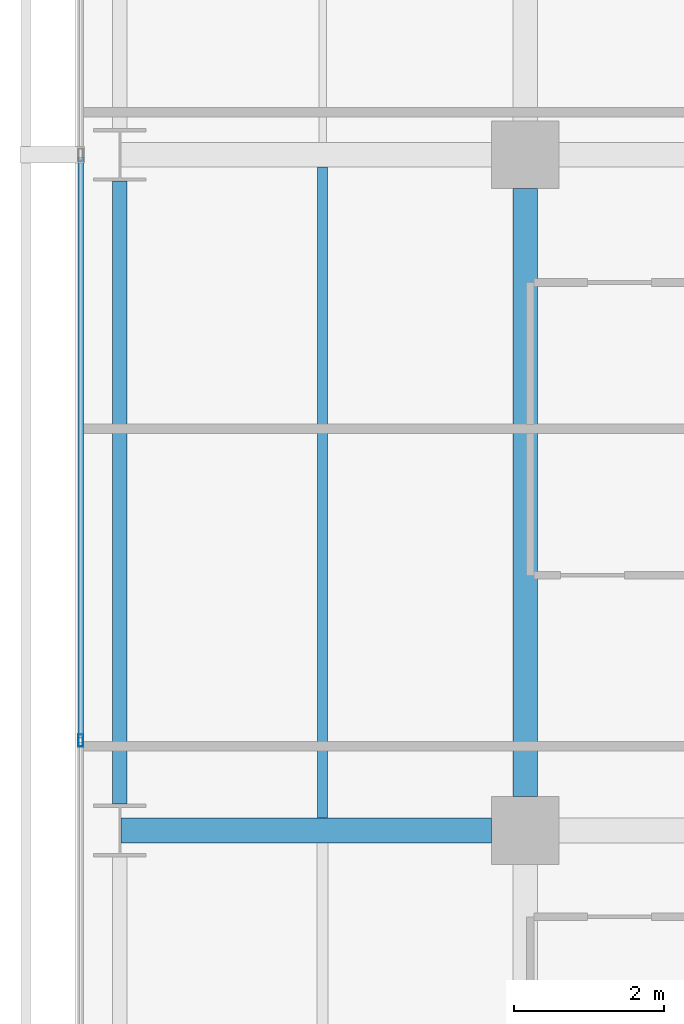
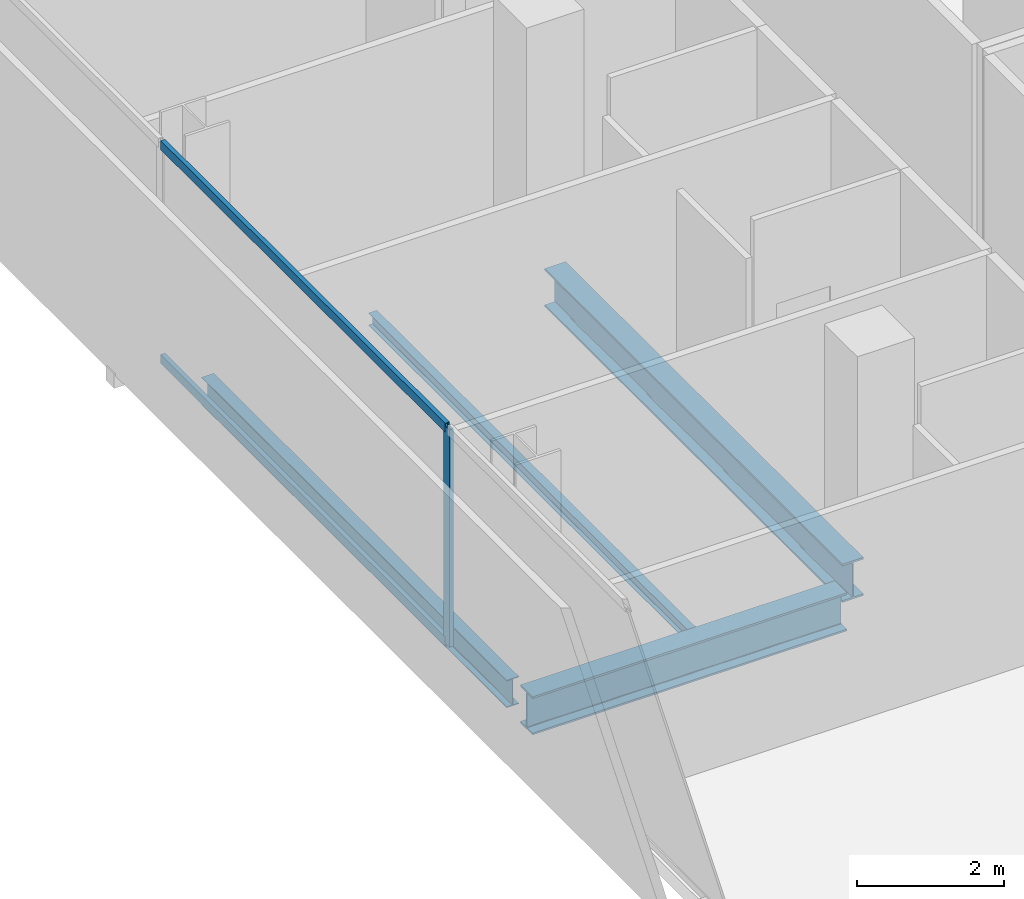
# One storey, part 10 of 40: 4 beams, 3 members, 1 element without a shape of its own.
"""IFC4 building model written with IfcOpenShell, lengths in metres."""

from ifc_helpers import new_model, si_unit, direction, frame, origin, origin_2d, place, context, subcontext, project, spatial, hollow_rectangle, i_section, extrude, material, layer, layer_set, material_profile, profile_set, type_object, element, aggregate, save


model = new_model("IFC4")

# Units and contexts
model_context = context("Model", 3, precision=1e-05, world=origin(), true_north=direction((0.0, 1.0)))
body_context = subcontext(model_context, "Body", "Model", "MODEL_VIEW")
ifc_project = project(units=[si_unit("LENGTHUNIT", "METRE"), si_unit("AREAUNIT", "SQUARE_METRE"), si_unit("VOLUMEUNIT", "CUBIC_METRE"), si_unit("PLANEANGLEUNIT", "RADIAN"), si_unit("MASSUNIT", "GRAM", prefix="KILO")], contexts=[model_context])

# Site, building, storey
site_placement = place(None, origin())
site = spatial("IfcSite", under=ifc_project, at=site_placement, CompositionType="ELEMENT")
building_placement = place(site_placement, origin())
building = spatial("IfcBuilding", under=site, at=building_placement, Name="Maruvema Waterfront Hotel and Observation Tower", CompositionType="ELEMENT")
storey_placement = place(building_placement, frame((0.0, 0.0, 30.800048828125)))
storey = spatial("IfcBuildingStorey", under=building, at=storey_placement, Name="L06", CompositionType="ELEMENT", Elevation=30.800048828125)

# Curtain wall, members
ifc_material_1 = material(Name="Anodised bronze aluminium and solar-control low-E IGU", Category="aluminium")
ifc_layer = layer(ifc_material_1, 0.159912109375, Name="Zone 1 Bronze Inner Thermal Curtain Wall System CW-02")
ifc_layer_set = layer_set([ifc_layer], Name="Anodised bronze aluminium and solar-control low-E IGU")
curtain_wall_type = type_object("IfcCurtainWallType", Name="Zone 1 Bronze Inner Thermal Curtain Wall System CW-02", PredefinedType="USERDEFINED", material=ifc_layer_set)
curtain_wall_placement = place(storey_placement, origin())
curtain_wall = element("IfcCurtainWall", 1, at=curtain_wall_placement, inside=storey, type_object=curtain_wall_type, Name="L06 Curtain Wall CW-L06-W", ObjectType="UNITISED CURTAIN WALL", PredefinedType="USERDEFINED")
ifc_material_2 = material(Name="Anodised architectural bronze aluminium", Category="aluminium")
ifc_material_profile_1 = material_profile(ifc_material_2, hollow_rectangle(XDim=0.070068359375, YDim=0.14990234375, WallThickness=0.00390625, at=origin_2d()), Name="ALU-T70x150")
ifc_profile_set_1 = profile_set([ifc_material_profile_1], Name="Anodised architectural bronze aluminium")
member_type_1 = type_object("IfcMemberType", Name="Curtain Wall Horizontal Transom ALU-T70x150", PredefinedType="USERDEFINED", material=ifc_profile_set_1)
member_1_placement = place(storey_placement, frame((10.8798828125, 26.969970703125, 0.030029296875), z_axis=(0.0, -1.0, 0.0), x_axis=(1.0, 0.0, 0.0)))
member_1 = element("IfcMember", 2, at=member_1_placement, type_object=member_type_1, Name="CW-02 transom 4.1", ObjectType="TRANSOM", PredefinedType="USERDEFINED", context=body_context, shape_type="SweptSolid", body=[
    extrude(hollow_rectangle(XDim=0.070068359375, YDim=0.14990234375, WallThickness=0.00390625, at=origin_2d()), origin(), (0.0, 0.0, 1.0), 7.739990234375),
])
member_2_placement = place(storey_placement, frame((10.8798828125, 26.969970703125, 3.579833984375), z_axis=(0.0, -1.0, 0.0), x_axis=(1.0, 0.0, 0.0)))
member_2 = element("IfcMember", 3, at=member_2_placement, type_object=member_type_1, Name="CW-02 transom 4.2", ObjectType="TRANSOM", PredefinedType="USERDEFINED", context=body_context, shape_type="SweptSolid", body=[
    extrude(hollow_rectangle(XDim=0.070068359375, YDim=0.14990234375, WallThickness=0.00390625, at=origin_2d()), origin(), (0.0, 0.0, 1.0), 7.739990234375),
])
ifc_material_3 = material(Name="Anodised architectural bronze aluminium", Category="aluminium")
ifc_material_profile_2 = material_profile(ifc_material_3, hollow_rectangle(XDim=0.06494140625, YDim=0.1650390625, WallThickness=0.00390625, at=origin_2d()), Name="ALU-M65x165")
ifc_profile_set_2 = profile_set([ifc_material_profile_2], Name="Anodised architectural bronze aluminium")
member_type_2 = type_object("IfcMemberType", Name="Curtain Wall Primary Mullion ALU-M65x165", PredefinedType="MULLION", material=ifc_profile_set_2)
member_3_placement = place(storey_placement, frame((10.8798828125, 19.199951171875, 0.0), z_axis=(0.0, 0.0, 1.0), x_axis=(1.0, 0.0, 0.0)))
member_3 = element("IfcMember", 4, at=member_3_placement, type_object=member_type_2, Name="CW-02 mullion 5", PredefinedType="MULLION", context=body_context, shape_type="SweptSolid", body=[
    extrude(hollow_rectangle(XDim=0.06494140625, YDim=0.1650390625, WallThickness=0.00390625, at=origin_2d()), origin(), (0.0, 0.0, 1.0), 3.60986328125),
])
aggregate(curtain_wall, [member_3, member_1, member_2])

# Beams
ifc_material_4 = material(Name="Steel ASTM A572 Grade 50", Category="steel")
ifc_material_profile_3 = material_profile(ifc_material_4, i_section(OverallWidth=0.18994140625, OverallDepth=0.45703125, WebThickness=0.009033203125, FlangeThickness=0.014404296875, FilletRadius=0.014892578125, at=origin_2d()), Name="W460x74.0")
ifc_profile_set_3 = profile_set([ifc_material_profile_3], Name="Steel ASTM A572 Grade 50")
beam_type_1 = type_object("IfcBeamType", Name="Perimeter Spandrel Beam W460x74.0", PredefinedType="SPANDREL", material=ifc_profile_set_3)
beam_1_placement = place(storey_placement, frame((11.39990234375, 18.35009765625, -0.468505859375), z_axis=(0.0, 1.0, 0.0), x_axis=(-1.0, 0.0, 0.0)))
element("IfcBeam", 5, at=beam_1_placement, inside=storey, type_object=beam_type_1, Name="L06 Floor Girder NS-02", PredefinedType="SPANDREL", context=body_context, shape_type="SweptSolid", body=[
    extrude(i_section(OverallWidth=0.18994140625, OverallDepth=0.45703125, WebThickness=0.009033203125, FlangeThickness=0.014404296875, FilletRadius=0.014892578125, at=origin_2d()), origin(), (0.0, 0.0, 1.0), 8.2998046875),
])
ifc_material_5 = material(Name="Steel ASTM A572 Grade 50", Category="steel")
ifc_material_profile_4 = material_profile(ifc_material_5, i_section(OverallWidth=0.3291015625, OverallDepth=0.635009765625, WebThickness=0.017822265625, FlangeThickness=0.031005859375, FilletRadius=0.01806640625, at=origin_2d()), Name="W610x241.0")
ifc_profile_set_4 = profile_set([ifc_material_profile_4], Name="Steel ASTM A572 Grade 50")
beam_type_2 = type_object("IfcBeamType", Name="Primary Floor Girder W610x241.0", PredefinedType="BEAM", material=ifc_profile_set_4)
beam_2_placement = place(storey_placement, frame((11.4140625, 18.0, -0.5576171875), z_axis=(1.0, 0.0, 0.0), x_axis=(0.0, 1.0, 0.0)))
element("IfcBeam", 6, at=beam_2_placement, inside=storey, type_object=beam_type_2, Name="L06 Floor Girder EW-13", PredefinedType="BEAM", context=body_context, shape_type="SweptSolid", body=[
    extrude(i_section(OverallWidth=0.3291015625, OverallDepth=0.635009765625, WebThickness=0.017822265625, FlangeThickness=0.031005859375, FilletRadius=0.01806640625, at=origin_2d()), origin(), (0.0, 0.0, 1.0), 4.93603515625),
])
beam_3_placement = place(storey_placement, frame((16.800048828125, 18.449951171875, -0.5576171875), z_axis=(0.0, 1.0, 0.0), x_axis=(-1.0, 0.0, 0.0)))
element("IfcBeam", 7, at=beam_3_placement, inside=storey, type_object=beam_type_2, Name="L06 Floor Girder NS-07", PredefinedType="BEAM", context=body_context, shape_type="SweptSolid", body=[
    extrude(i_section(OverallWidth=0.3291015625, OverallDepth=0.635009765625, WebThickness=0.017822265625, FlangeThickness=0.031005859375, FilletRadius=0.01806640625, at=origin_2d()), origin(), (0.0, 0.0, 1.0), 8.10009765625),
])
ifc_material_6 = material(Name="Steel ASTM A572 Grade 50", Category="steel")
ifc_material_profile_5 = material_profile(ifc_material_6, i_section(OverallWidth=0.133056640625, OverallDepth=0.20703125, WebThickness=0.005859375, FlangeThickness=0.00830078125, FilletRadius=0.010009765625, at=origin_2d()), Name="W200x26.6")
ifc_profile_set_5 = profile_set([ifc_material_profile_5], Name="Steel ASTM A572 Grade 50")
beam_type_3 = type_object("IfcBeamType", Name="Secondary Floor Joist W200x26.6", PredefinedType="JOIST", material=ifc_profile_set_5)
beam_4_placement = place(storey_placement, frame((14.10009765625, 18.16455078125, -0.343505859375), z_axis=(0.0, 1.0, 0.0), x_axis=(-1.0, 0.0, 0.0)))
element("IfcBeam", 8, at=beam_4_placement, inside=storey, type_object=beam_type_3, Name="L06 Secondary Floor Joist JS-02", PredefinedType="JOIST", context=body_context, shape_type="SweptSolid", body=[
    extrude(i_section(OverallWidth=0.133056640625, OverallDepth=0.20703125, WebThickness=0.005859375, FlangeThickness=0.00830078125, FilletRadius=0.010009765625, at=origin_2d()), origin(), (0.0, 0.0, 1.0), 8.6708984375),
])

save(model, "model.ifc")
